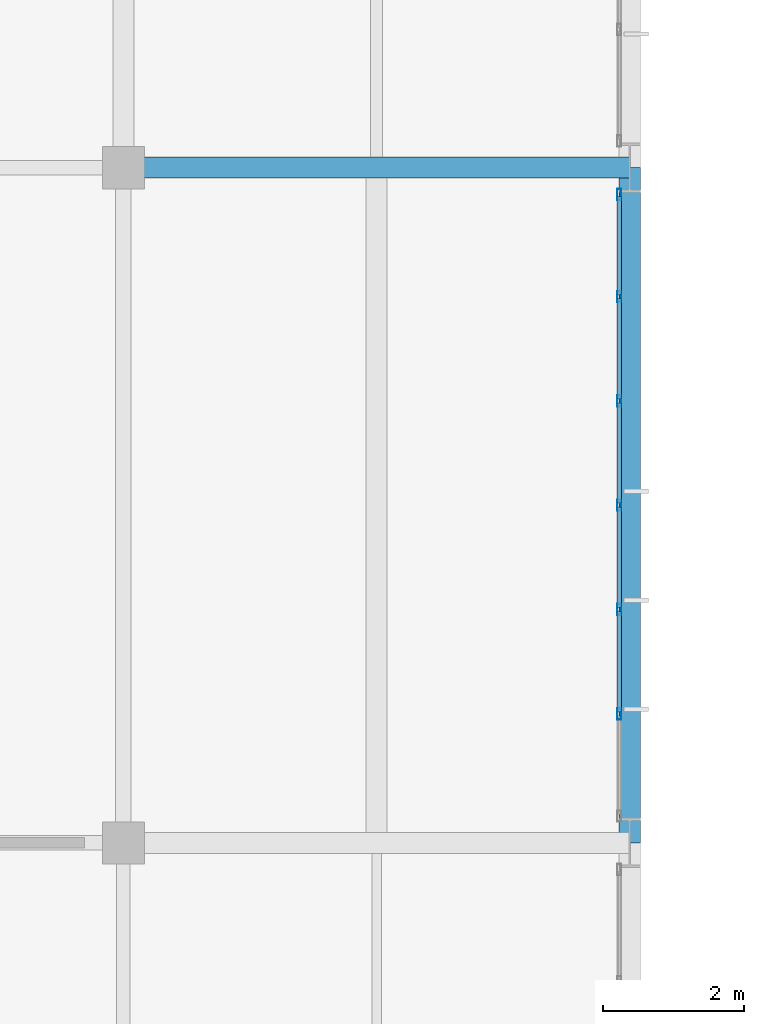
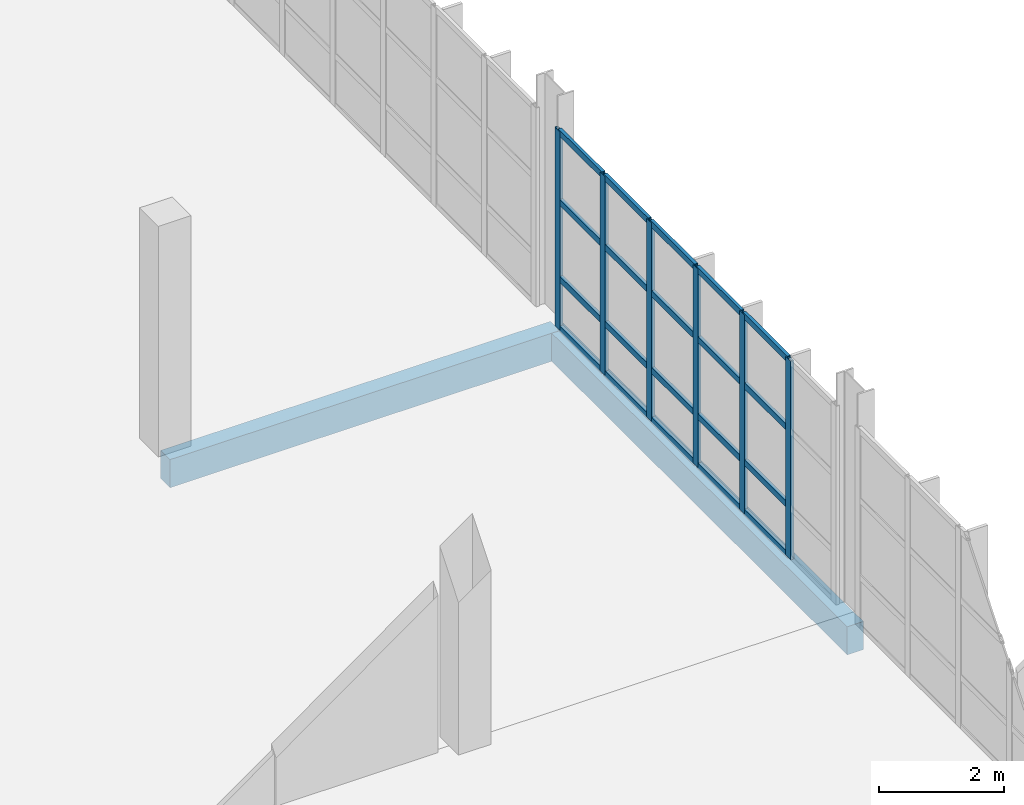
# One storey, part 74 of 113: 26 members, 2 beams, 1 element without a shape of its own.
"""IFC4 building model written with IfcOpenShell, lengths in metres."""

from ifc_helpers import new_model, si_unit, direction, frame, origin, origin_2d, place, context, subcontext, project, spatial, rectangle, hollow_rectangle, extrude, material, material_profile, profile_set, type_object, element, aggregate, save


model = new_model("IFC4")

# Units and contexts
model_context = context("Model", 3, precision=1e-05, world=origin(), true_north=direction((0.0, 1.0)))
body_context = subcontext(model_context, "Body", "Model", "MODEL_VIEW")
ifc_project = project(units=[si_unit("LENGTHUNIT", "METRE"), si_unit("AREAUNIT", "SQUARE_METRE"), si_unit("VOLUMEUNIT", "CUBIC_METRE"), si_unit("PLANEANGLEUNIT", "RADIAN"), si_unit("MASSUNIT", "GRAM", prefix="KILO")], contexts=[model_context])

# Site, building, storey
site_placement = place(None, origin())
site = spatial("IfcSite", under=ifc_project, at=site_placement, CompositionType="ELEMENT")
building_placement = place(site_placement, origin())
building = spatial("IfcBuilding", under=site, at=building_placement, Name="Veltarok Museum of Natural Sciences", CompositionType="ELEMENT")
storey_placement = place(building_placement, frame((0.0, 0.0, 8.39990234375)))
storey = spatial("IfcBuildingStorey", under=building, at=storey_placement, Name="L01", CompositionType="ELEMENT", Elevation=8.39990234375)

# Curtain wall, members
ifc_material_1 = material(Name="Low-iron triple insulated glass", Category="glass")
curtain_wall_type = type_object("IfcCurtainWallType", Name="Curtain Wall System CW-V5E-L01-D-890x388 (V5 East Lab L01 D-E 890x388cm)", PredefinedType="NOTDEFINED", material=ifc_material_1)
curtain_wall_placement = place(storey_placement, origin())
curtain_wall = element("IfcCurtainWall", 1, at=curtain_wall_placement, inside=storey, type_object=curtain_wall_type, Name="Curtain Wall CW-V5E-L01-D-890x388 CW-0105", PredefinedType="NOTDEFINED")
ifc_material_2 = material(Name="Thermally broken anodised aluminium", Category="aluminium")
ifc_material_profile_1 = material_profile(ifc_material_2, hollow_rectangle(XDim=0.06005859375, YDim=0.1201171875, WallThickness=0.0048828125, at=origin_2d()), Name="CW TRANSOM 60x120x5")
ifc_profile_set_1 = profile_set([ifc_material_profile_1], Name="Thermally broken anodised aluminium")
member_type_1 = type_object("IfcMemberType", Name="Curtain Wall Horizontal Transom 60x120x5", PredefinedType="USERDEFINED", material=ifc_profile_set_1)
member_1_placement = place(storey_placement, frame((164.64990234375, 28.263427734375, 0.030029296875), z_axis=(0.0, 1.0, 0.0), x_axis=(-1.0, 0.0, 0.0)))
member_1 = element("IfcMember", 2, at=member_1_placement, type_object=member_type_1, Name="CW-V5E-L01-D-890x388 transom 2.1", ObjectType="TRANSOM", PredefinedType="USERDEFINED", context=body_context, shape_type="SweptSolid", body=[
    extrude(hollow_rectangle(XDim=0.06005859375, YDim=0.1201171875, WallThickness=0.0048828125, at=origin_2d()), origin(), (0.0, 0.0, 1.0), 1.42333984375),
])
member_2_placement = place(storey_placement, frame((164.64990234375, 28.263427734375, 1.0), z_axis=(0.0, 1.0, 0.0), x_axis=(-1.0, 0.0, 0.0)))
member_2 = element("IfcMember", 3, at=member_2_placement, type_object=member_type_1, Name="CW-V5E-L01-D-890x388 transom 2.2", ObjectType="TRANSOM", PredefinedType="USERDEFINED", context=body_context, shape_type="SweptSolid", body=[
    extrude(hollow_rectangle(XDim=0.06005859375, YDim=0.1201171875, WallThickness=0.0048828125, at=origin_2d()), origin(), (0.0, 0.0, 1.0), 1.42333984375),
])
member_3_placement = place(storey_placement, frame((164.64990234375, 28.263427734375, 2.5), z_axis=(0.0, 1.0, 0.0), x_axis=(-1.0, 0.0, 0.0)))
member_3 = element("IfcMember", 4, at=member_3_placement, type_object=member_type_1, Name="CW-V5E-L01-D-890x388 transom 2.3", ObjectType="TRANSOM", PredefinedType="USERDEFINED", context=body_context, shape_type="SweptSolid", body=[
    extrude(hollow_rectangle(XDim=0.06005859375, YDim=0.1201171875, WallThickness=0.0048828125, at=origin_2d()), origin(), (0.0, 0.0, 1.0), 1.42333984375),
])
member_4_placement = place(storey_placement, frame((164.64990234375, 28.263427734375, 3.85009765625), z_axis=(0.0, 1.0, 0.0), x_axis=(-1.0, 0.0, 0.0)))
member_4 = element("IfcMember", 5, at=member_4_placement, type_object=member_type_1, Name="CW-V5E-L01-D-890x388 transom 2.4", ObjectType="TRANSOM", PredefinedType="USERDEFINED", context=body_context, shape_type="SweptSolid", body=[
    extrude(hollow_rectangle(XDim=0.06005859375, YDim=0.1201171875, WallThickness=0.0048828125, at=origin_2d()), origin(), (0.0, 0.0, 1.0), 1.42333984375),
])
member_5_placement = place(storey_placement, frame((164.64990234375, 29.74658203125, 0.030029296875), z_axis=(0.0, 1.0, 0.0), x_axis=(-1.0, 0.0, 0.0)))
member_5 = element("IfcMember", 6, at=member_5_placement, type_object=member_type_1, Name="CW-V5E-L01-D-890x388 transom 3.1", ObjectType="TRANSOM", PredefinedType="USERDEFINED", context=body_context, shape_type="SweptSolid", body=[
    extrude(hollow_rectangle(XDim=0.06005859375, YDim=0.1201171875, WallThickness=0.0048828125, at=origin_2d()), origin(), (0.0, 0.0, 1.0), 1.42333984375),
])
member_6_placement = place(storey_placement, frame((164.64990234375, 29.74658203125, 1.0), z_axis=(0.0, 1.0, 0.0), x_axis=(-1.0, 0.0, 0.0)))
member_6 = element("IfcMember", 7, at=member_6_placement, type_object=member_type_1, Name="CW-V5E-L01-D-890x388 transom 3.2", ObjectType="TRANSOM", PredefinedType="USERDEFINED", context=body_context, shape_type="SweptSolid", body=[
    extrude(hollow_rectangle(XDim=0.06005859375, YDim=0.1201171875, WallThickness=0.0048828125, at=origin_2d()), origin(), (0.0, 0.0, 1.0), 1.42333984375),
])
member_7_placement = place(storey_placement, frame((164.64990234375, 29.74658203125, 2.5), z_axis=(0.0, 1.0, 0.0), x_axis=(-1.0, 0.0, 0.0)))
member_7 = element("IfcMember", 8, at=member_7_placement, type_object=member_type_1, Name="CW-V5E-L01-D-890x388 transom 3.3", ObjectType="TRANSOM", PredefinedType="USERDEFINED", context=body_context, shape_type="SweptSolid", body=[
    extrude(hollow_rectangle(XDim=0.06005859375, YDim=0.1201171875, WallThickness=0.0048828125, at=origin_2d()), origin(), (0.0, 0.0, 1.0), 1.42333984375),
])
member_8_placement = place(storey_placement, frame((164.64990234375, 29.74658203125, 3.85009765625), z_axis=(0.0, 1.0, 0.0), x_axis=(-1.0, 0.0, 0.0)))
member_8 = element("IfcMember", 9, at=member_8_placement, type_object=member_type_1, Name="CW-V5E-L01-D-890x388 transom 3.4", ObjectType="TRANSOM", PredefinedType="USERDEFINED", context=body_context, shape_type="SweptSolid", body=[
    extrude(hollow_rectangle(XDim=0.06005859375, YDim=0.1201171875, WallThickness=0.0048828125, at=origin_2d()), origin(), (0.0, 0.0, 1.0), 1.42333984375),
])
member_9_placement = place(storey_placement, frame((164.64990234375, 31.22998046875, 0.030029296875), z_axis=(0.0, 1.0, 0.0), x_axis=(-1.0, 0.0, 0.0)))
member_9 = element("IfcMember", 10, at=member_9_placement, type_object=member_type_1, Name="CW-V5E-L01-D-890x388 transom 4.1", ObjectType="TRANSOM", PredefinedType="USERDEFINED", context=body_context, shape_type="SweptSolid", body=[
    extrude(hollow_rectangle(XDim=0.06005859375, YDim=0.1201171875, WallThickness=0.0048828125, at=origin_2d()), origin(), (0.0, 0.0, 1.0), 1.42333984375),
])
member_10_placement = place(storey_placement, frame((164.64990234375, 31.22998046875, 1.0), z_axis=(0.0, 1.0, 0.0), x_axis=(-1.0, 0.0, 0.0)))
member_10 = element("IfcMember", 11, at=member_10_placement, type_object=member_type_1, Name="CW-V5E-L01-D-890x388 transom 4.2", ObjectType="TRANSOM", PredefinedType="USERDEFINED", context=body_context, shape_type="SweptSolid", body=[
    extrude(hollow_rectangle(XDim=0.06005859375, YDim=0.1201171875, WallThickness=0.0048828125, at=origin_2d()), origin(), (0.0, 0.0, 1.0), 1.42333984375),
])
member_11_placement = place(storey_placement, frame((164.64990234375, 31.22998046875, 2.5), z_axis=(0.0, 1.0, 0.0), x_axis=(-1.0, 0.0, 0.0)))
member_11 = element("IfcMember", 12, at=member_11_placement, type_object=member_type_1, Name="CW-V5E-L01-D-890x388 transom 4.3", ObjectType="TRANSOM", PredefinedType="USERDEFINED", context=body_context, shape_type="SweptSolid", body=[
    extrude(hollow_rectangle(XDim=0.06005859375, YDim=0.1201171875, WallThickness=0.0048828125, at=origin_2d()), origin(), (0.0, 0.0, 1.0), 1.42333984375),
])
member_12_placement = place(storey_placement, frame((164.64990234375, 31.22998046875, 3.85009765625), z_axis=(0.0, 1.0, 0.0), x_axis=(-1.0, 0.0, 0.0)))
member_12 = element("IfcMember", 13, at=member_12_placement, type_object=member_type_1, Name="CW-V5E-L01-D-890x388 transom 4.4", ObjectType="TRANSOM", PredefinedType="USERDEFINED", context=body_context, shape_type="SweptSolid", body=[
    extrude(hollow_rectangle(XDim=0.06005859375, YDim=0.1201171875, WallThickness=0.0048828125, at=origin_2d()), origin(), (0.0, 0.0, 1.0), 1.42333984375),
])
member_13_placement = place(storey_placement, frame((164.64990234375, 32.71337890625, 0.030029296875), z_axis=(0.0, 1.0, 0.0), x_axis=(-1.0, 0.0, 0.0)))
member_13 = element("IfcMember", 14, at=member_13_placement, type_object=member_type_1, Name="CW-V5E-L01-D-890x388 transom 5.1", ObjectType="TRANSOM", PredefinedType="USERDEFINED", context=body_context, shape_type="SweptSolid", body=[
    extrude(hollow_rectangle(XDim=0.06005859375, YDim=0.1201171875, WallThickness=0.0048828125, at=origin_2d()), origin(), (0.0, 0.0, 1.0), 1.42333984375),
])
member_14_placement = place(storey_placement, frame((164.64990234375, 32.71337890625, 1.0), z_axis=(0.0, 1.0, 0.0), x_axis=(-1.0, 0.0, 0.0)))
member_14 = element("IfcMember", 15, at=member_14_placement, type_object=member_type_1, Name="CW-V5E-L01-D-890x388 transom 5.2", ObjectType="TRANSOM", PredefinedType="USERDEFINED", context=body_context, shape_type="SweptSolid", body=[
    extrude(hollow_rectangle(XDim=0.06005859375, YDim=0.1201171875, WallThickness=0.0048828125, at=origin_2d()), origin(), (0.0, 0.0, 1.0), 1.42333984375),
])
member_15_placement = place(storey_placement, frame((164.64990234375, 32.71337890625, 2.5), z_axis=(0.0, 1.0, 0.0), x_axis=(-1.0, 0.0, 0.0)))
member_15 = element("IfcMember", 16, at=member_15_placement, type_object=member_type_1, Name="CW-V5E-L01-D-890x388 transom 5.3", ObjectType="TRANSOM", PredefinedType="USERDEFINED", context=body_context, shape_type="SweptSolid", body=[
    extrude(hollow_rectangle(XDim=0.06005859375, YDim=0.1201171875, WallThickness=0.0048828125, at=origin_2d()), origin(), (0.0, 0.0, 1.0), 1.42333984375),
])
member_16_placement = place(storey_placement, frame((164.64990234375, 32.71337890625, 3.85009765625), z_axis=(0.0, 1.0, 0.0), x_axis=(-1.0, 0.0, 0.0)))
member_16 = element("IfcMember", 17, at=member_16_placement, type_object=member_type_1, Name="CW-V5E-L01-D-890x388 transom 5.4", ObjectType="TRANSOM", PredefinedType="USERDEFINED", context=body_context, shape_type="SweptSolid", body=[
    extrude(hollow_rectangle(XDim=0.06005859375, YDim=0.1201171875, WallThickness=0.0048828125, at=origin_2d()), origin(), (0.0, 0.0, 1.0), 1.42333984375),
])
member_17_placement = place(storey_placement, frame((164.64990234375, 34.19677734375, 0.030029296875), z_axis=(0.0, 1.0, 0.0), x_axis=(-1.0, 0.0, 0.0)))
member_17 = element("IfcMember", 18, at=member_17_placement, type_object=member_type_1, Name="CW-V5E-L01-D-890x388 transom 6.1", ObjectType="TRANSOM", PredefinedType="USERDEFINED", context=body_context, shape_type="SweptSolid", body=[
    extrude(hollow_rectangle(XDim=0.06005859375, YDim=0.1201171875, WallThickness=0.0048828125, at=origin_2d()), origin(), (0.0, 0.0, 1.0), 1.393310546875),
])
member_18_placement = place(storey_placement, frame((164.64990234375, 34.19677734375, 1.0), z_axis=(0.0, 1.0, 0.0), x_axis=(-1.0, 0.0, 0.0)))
member_18 = element("IfcMember", 19, at=member_18_placement, type_object=member_type_1, Name="CW-V5E-L01-D-890x388 transom 6.2", ObjectType="TRANSOM", PredefinedType="USERDEFINED", context=body_context, shape_type="SweptSolid", body=[
    extrude(hollow_rectangle(XDim=0.06005859375, YDim=0.1201171875, WallThickness=0.0048828125, at=origin_2d()), origin(), (0.0, 0.0, 1.0), 1.393310546875),
])
member_19_placement = place(storey_placement, frame((164.64990234375, 34.19677734375, 2.5), z_axis=(0.0, 1.0, 0.0), x_axis=(-1.0, 0.0, 0.0)))
member_19 = element("IfcMember", 20, at=member_19_placement, type_object=member_type_1, Name="CW-V5E-L01-D-890x388 transom 6.3", ObjectType="TRANSOM", PredefinedType="USERDEFINED", context=body_context, shape_type="SweptSolid", body=[
    extrude(hollow_rectangle(XDim=0.06005859375, YDim=0.1201171875, WallThickness=0.0048828125, at=origin_2d()), origin(), (0.0, 0.0, 1.0), 1.393310546875),
])
member_20_placement = place(storey_placement, frame((164.64990234375, 34.19677734375, 3.85009765625), z_axis=(0.0, 1.0, 0.0), x_axis=(-1.0, 0.0, 0.0)))
member_20 = element("IfcMember", 21, at=member_20_placement, type_object=member_type_1, Name="CW-V5E-L01-D-890x388 transom 6.4", ObjectType="TRANSOM", PredefinedType="USERDEFINED", context=body_context, shape_type="SweptSolid", body=[
    extrude(hollow_rectangle(XDim=0.06005859375, YDim=0.1201171875, WallThickness=0.0048828125, at=origin_2d()), origin(), (0.0, 0.0, 1.0), 1.393310546875),
])
ifc_material_profile_2 = material_profile(ifc_material_2, hollow_rectangle(XDim=0.06005859375, YDim=0.159912109375, WallThickness=0.0048828125, at=origin_2d()), Name="CW MULLION 60x160x5")
ifc_profile_set_2 = profile_set([ifc_material_profile_2], Name="Thermally broken anodised aluminium")
member_type_2 = type_object("IfcMemberType", Name="Curtain Wall Vertical Mullion 60x160x5", PredefinedType="MULLION", material=ifc_profile_set_2)
member_21_placement = place(storey_placement, frame((164.64990234375, 28.2333984375, 0.0), z_axis=(0.0, 0.0, 1.0), x_axis=(-1.0, 0.0, 0.0)))
member_21 = element("IfcMember", 22, at=member_21_placement, type_object=member_type_2, Name="CW-V5E-L01-D-890x388 mullion 2", PredefinedType="MULLION", context=body_context, shape_type="SweptSolid", body=[
    extrude(hollow_rectangle(XDim=0.06005859375, YDim=0.159912109375, WallThickness=0.0048828125, at=origin_2d()), origin(), (0.0, 0.0, 1.0), 3.880126953125),
])
member_22_placement = place(storey_placement, frame((164.64990234375, 29.716552734375, 0.0), z_axis=(0.0, 0.0, 1.0), x_axis=(-1.0, 0.0, 0.0)))
member_22 = element("IfcMember", 23, at=member_22_placement, type_object=member_type_2, Name="CW-V5E-L01-D-890x388 mullion 3", PredefinedType="MULLION", context=body_context, shape_type="SweptSolid", body=[
    extrude(hollow_rectangle(XDim=0.06005859375, YDim=0.159912109375, WallThickness=0.0048828125, at=origin_2d()), origin(), (0.0, 0.0, 1.0), 3.880126953125),
])
member_23_placement = place(storey_placement, frame((164.64990234375, 31.199951171875, 0.0), z_axis=(0.0, 0.0, 1.0), x_axis=(-1.0, 0.0, 0.0)))
member_23 = element("IfcMember", 24, at=member_23_placement, type_object=member_type_2, Name="CW-V5E-L01-D-890x388 mullion 4", PredefinedType="MULLION", context=body_context, shape_type="SweptSolid", body=[
    extrude(hollow_rectangle(XDim=0.06005859375, YDim=0.159912109375, WallThickness=0.0048828125, at=origin_2d()), origin(), (0.0, 0.0, 1.0), 3.880126953125),
])
member_24_placement = place(storey_placement, frame((164.64990234375, 32.683349609375, 0.0), z_axis=(0.0, 0.0, 1.0), x_axis=(-1.0, 0.0, 0.0)))
member_24 = element("IfcMember", 25, at=member_24_placement, type_object=member_type_2, Name="CW-V5E-L01-D-890x388 mullion 5", PredefinedType="MULLION", context=body_context, shape_type="SweptSolid", body=[
    extrude(hollow_rectangle(XDim=0.06005859375, YDim=0.159912109375, WallThickness=0.0048828125, at=origin_2d()), origin(), (0.0, 0.0, 1.0), 3.880126953125),
])
member_25_placement = place(storey_placement, frame((164.64990234375, 34.166748046875, 0.0), z_axis=(0.0, 0.0, 1.0), x_axis=(-1.0, 0.0, 0.0)))
member_25 = element("IfcMember", 26, at=member_25_placement, type_object=member_type_2, Name="CW-V5E-L01-D-890x388 mullion 6", PredefinedType="MULLION", context=body_context, shape_type="SweptSolid", body=[
    extrude(hollow_rectangle(XDim=0.06005859375, YDim=0.159912109375, WallThickness=0.0048828125, at=origin_2d()), origin(), (0.0, 0.0, 1.0), 3.880126953125),
])
member_26_placement = place(storey_placement, frame((164.64990234375, 35.6201171875, 0.0), z_axis=(0.0, 0.0, 1.0), x_axis=(-1.0, 0.0, 0.0)))
member_26 = element("IfcMember", 27, at=member_26_placement, type_object=member_type_2, Name="CW-V5E-L01-D-890x388 mullion 7", PredefinedType="MULLION", context=body_context, shape_type="SweptSolid", body=[
    extrude(hollow_rectangle(XDim=0.06005859375, YDim=0.159912109375, WallThickness=0.0048828125, at=origin_2d()), origin(), (0.0, 0.0, 1.0), 3.880126953125),
])
aggregate(curtain_wall, [member_21, member_22, member_23, member_24, member_25, member_26, member_1, member_2, member_3, member_4, member_5, member_6, member_7, member_8, member_9, member_10, member_11, member_12, member_13, member_14, member_15, member_16, member_17, member_18, member_19, member_20])

# Beams
ifc_material_3 = material(Name="Precast concrete C40/50", Category="concrete")
ifc_material_profile_3 = material_profile(ifc_material_3, rectangle(XDim=0.300048828125, YDim=0.550048828125, at=origin_2d()), Name="RC 300x550")
ifc_profile_set_3 = profile_set([ifc_material_profile_3], Name="Precast concrete C40/50")
beam_type = type_object("IfcBeamType", Name="East Wing Precast Spandrel RC 300x550", PredefinedType="SPANDREL", material=ifc_profile_set_3)
beam_1_placement = place(storey_placement, frame((157.60009765625, 36.0, -0.52490234375), z_axis=(1.0, 0.0, 0.0), x_axis=(0.0, 1.0, 0.0)))
element("IfcBeam", 28, at=beam_1_placement, inside=storey, type_object=beam_type, Name="Beam BM-SP02 L01 19-20/E", PredefinedType="SPANDREL", context=body_context, shape_type="SweptSolid", body=[
    extrude(rectangle(XDim=0.300048828125, YDim=0.550048828125, at=origin_2d()), origin(), (0.0, 0.0, 1.0), 7.199951171875),
])
beam_2_placement = place(storey_placement, frame((164.800048828125, 26.39990234375, -0.52490234375), z_axis=(0.0, 1.0, 0.0), x_axis=(-1.0, 0.0, 0.0)))
element("IfcBeam", 29, at=beam_2_placement, inside=storey, type_object=beam_type, Name="Beam BM-SP02 L01 20/D-E", PredefinedType="SPANDREL", context=body_context, shape_type="SweptSolid", body=[
    extrude(rectangle(XDim=0.300048828125, YDim=0.550048828125, at=origin_2d()), origin(), (0.0, 0.0, 1.0), 9.60009765625),
])

save(model, "model.ifc")
